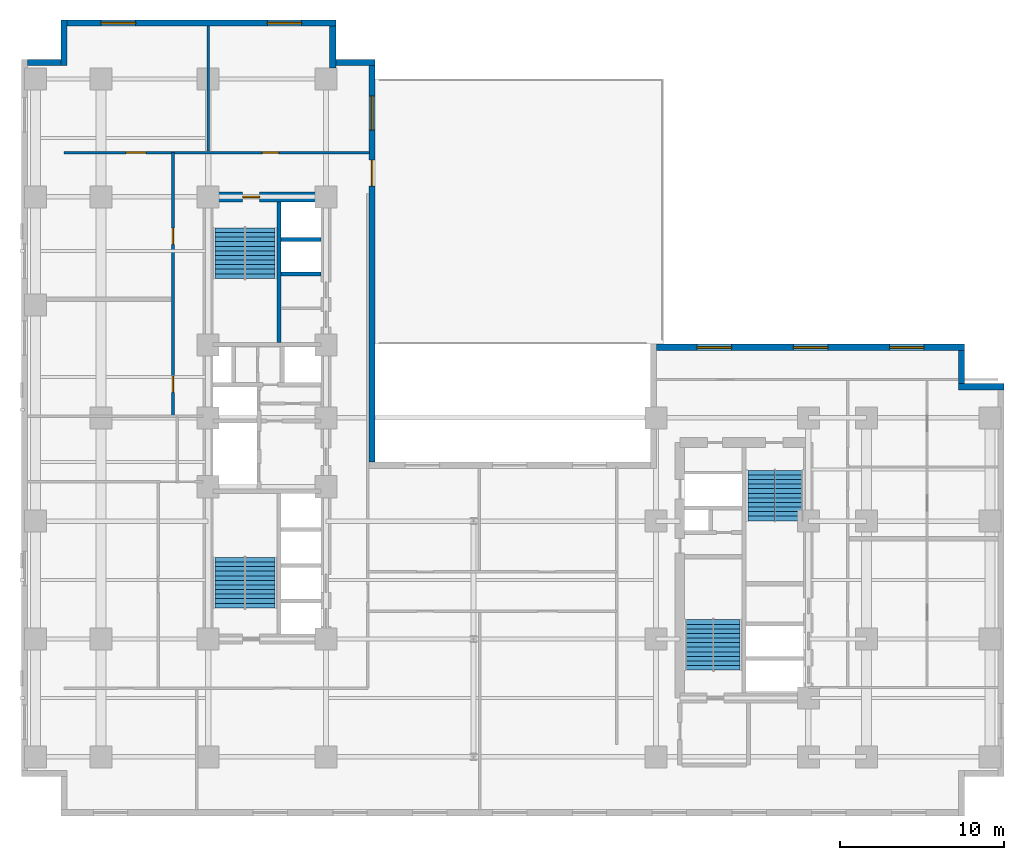
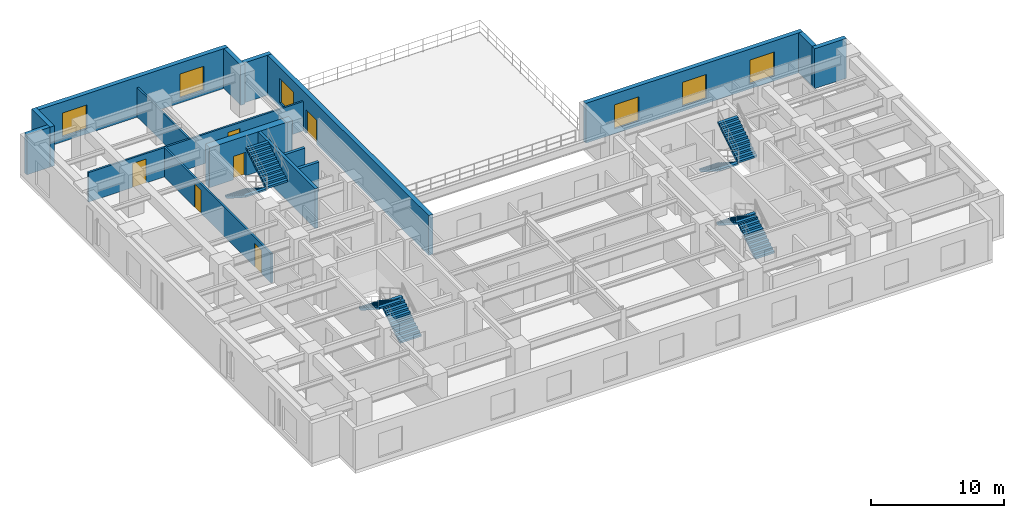
# One storey, part 6 of 10: 16 walls, 8 stair flights, 6 doors, 6 windows, 12 openings, 4 elements without a shape of their own.
"""IFC4 building model written with IfcOpenShell, lengths in metres."""

from ifc_helpers import new_model, entity, si_unit, converted_unit, direction, frame, origin_with_axes, origin_2d_with_axis, place, context, subcontext, project, spatial, polyline, rectangle, outline, extrude, material, layer, layer_set, type_object, element, fill, aggregate, save


model = new_model("IFC4")

# Units and contexts
model_context = context("Model", 3, precision=1e-05, world=origin_with_axes(), true_north=direction((0.0, 1.0)))
body_context = subcontext(model_context, "Body", "Model", "MODEL_VIEW")
ifc_project = project(units=[si_unit("LENGTHUNIT", "METRE"), si_unit("AREAUNIT", "SQUARE_METRE"), si_unit("VOLUMEUNIT", "CUBIC_METRE"), converted_unit("PLANEANGLEUNIT", "DEGREE", entity("IfcPlaneAngleMeasure", 0.017453292519943295), si_unit("PLANEANGLEUNIT", "RADIAN"), dimensions=[0, 0, 0, 0, 0, 0, 0]), si_unit("MASSUNIT", "GRAM", prefix="KILO"), si_unit("THERMODYNAMICTEMPERATUREUNIT", "KELVIN")], contexts=[model_context])

# Site, building, storey
site_placement = place(None, origin_with_axes())
site = spatial("IfcSite", under=ifc_project, at=site_placement, CompositionType="ELEMENT")
building_placement = place(site_placement, origin_with_axes())
building = spatial("IfcBuilding", under=site, at=building_placement, Name="Varnlund Millrace Tower", CompositionType="ELEMENT")
storey_placement = place(building_placement, frame((0.0, 0.0, 28.8), z_axis=(0.0, 0.0, 1.0), x_axis=(1.0, 0.0, 0.0)))
storey = spatial("IfcBuildingStorey", under=building, at=storey_placement, Name="L06", CompositionType="ELEMENT", Elevation=28.8)

# Wall, opening, door
ifc_material_1 = material(Name="Concrete C80/95", Category="concrete")
ifc_layer_1 = layer(ifc_material_1, 0.6, Name="Concrete C80/95")
ifc_layer_set_1 = layer_set([ifc_layer_1], Name="Concrete C80/95")
wall_type_1 = type_object("IfcWallType", Name="Type-CoreWall-Shear-600-C80", PredefinedType="SHEAR", material=ifc_layer_set_1)
wall_1_placement = place(storey_placement, frame((11.4, 37.8, 0.0), z_axis=(0.0, 0.0, 1.0), x_axis=(1.0, 0.0, 0.0)))
wall_1 = element("IfcWall", 1, at=wall_1_placement, inside=storey, type_object=wall_type_1, Name="Type-CoreWall-Shear-600-C80", PredefinedType="SHEAR", context=body_context, shape_type="SweptSolid", body=[
    extrude(outline(polyline([(0.0, -0.3), (7.2, -0.3), (7.2, 0.3), (0.0, 0.3), (0.0, -0.3)])), origin_with_axes(), (0.0, 0.0, 1.0), 3.66),
])
opening_1_placement = place(wall_1_placement, frame((2.625, 0.0, 0.0), z_axis=(0.0, 0.0, 1.0), x_axis=(1.0, 0.0, 0.0)))
opening_1 = element("IfcOpeningElement", 2, at=opening_1_placement, cuts=wall_1, Name="Opening L06:DR-STA2", PredefinedType="OPENING", context=body_context, shape_type="SweptSolid", body=[
    extrude(rectangle(XDim=1.05, YDim=0.62, at=origin_2d_with_axis()), origin_with_axes(), (0.0, 0.0, 1.0), 2.15),
])
ifc_material_2 = material(Name="Fire-rated hollow steel door", Category="steel")
door_type_1 = type_object("IfcDoorType", Name="Type-FireDoor-Stair-1050X2150", OperationType="NOTDEFINED", PredefinedType="DOOR", material=ifc_material_2)
door_1_placement = place(wall_1_placement, frame((2.625, 0.0, 0.0), z_axis=(0.0, 0.0, 1.0), x_axis=(1.0, 0.0, 0.0)))
door_1 = element("IfcDoor", 3, at=door_1_placement, inside=storey, type_object=door_type_1, Name="Type-FireDoor-Stair-1050X2150", OperationType="SINGLE_SWING_RIGHT", OverallHeight=2.15, OverallWidth=1.05, PredefinedType="DOOR", context=body_context, shape_type="SweptSolid", body=[
    extrude(rectangle(XDim=1.05, YDim=0.09, at=origin_2d_with_axis()), origin_with_axes(), (0.0, 0.0, 1.0), 2.15),
])
fill(opening_1, door_1)

# Wall, openings, windows
ifc_material_3 = material(Name="Precast concrete C50/60", Category="concrete")
ifc_layer_2 = layer(ifc_material_3, 0.38, Name="Precast concrete C50/60")
ifc_layer_set_2 = layer_set([ifc_layer_2], Name="Precast concrete C50/60")
wall_type_2 = type_object("IfcWallType", Name="Type-ExtWall-Precast-Tube-380", PredefinedType="SOLIDWALL", material=ifc_layer_set_2)
wall_2_placement = place(storey_placement, frame((38.78, 28.61, 0.0), z_axis=(0.0, 0.0, 1.0), x_axis=(1.0, 0.0, 0.0)))
wall_2 = element("IfcWall", 4, at=wall_2_placement, inside=storey, type_object=wall_type_2, Name="Type-ExtWall-Precast-Tube-380", PredefinedType="SOLIDWALL", context=body_context, shape_type="SweptSolid", body=[
    extrude(outline(polyline([(0.0, -0.19), (18.82, -0.19), (18.82, 0.19), (0.0, 0.19), (0.0, -0.19)])), origin_with_axes(), (0.0, 0.0, 1.0), 3.66),
])
opening_2_placement = place(wall_2_placement, frame((3.537, 0.0, 0.45), z_axis=(0.0, 0.0, 1.0), x_axis=(1.0, 0.0, 0.0)))
opening_2 = element("IfcOpeningElement", 5, at=opening_2_placement, cuts=wall_2, Name="Opening L06:WN-01", PredefinedType="OPENING", context=body_context, shape_type="SweptSolid", body=[
    extrude(rectangle(XDim=2.1, YDim=0.4, at=origin_2d_with_axis()), origin_with_axes(), (0.0, 0.0, 1.0), 2.2),
])
opening_3_placement = place(wall_2_placement, frame((9.41, 0.0, 0.45), z_axis=(0.0, 0.0, 1.0), x_axis=(1.0, 0.0, 0.0)))
opening_3 = element("IfcOpeningElement", 6, at=opening_3_placement, cuts=wall_2, Name="Opening L06:WN-02", PredefinedType="OPENING", context=body_context, shape_type="SweptSolid", body=[
    extrude(rectangle(XDim=2.1, YDim=0.4, at=origin_2d_with_axis()), origin_with_axes(), (0.0, 0.0, 1.0), 2.2),
])
opening_4_placement = place(wall_2_placement, frame((15.283, 0.0, 0.45), z_axis=(0.0, 0.0, 1.0), x_axis=(1.0, 0.0, 0.0)))
opening_4 = element("IfcOpeningElement", 7, at=opening_4_placement, cuts=wall_2, Name="Opening L06:WN-03", PredefinedType="OPENING", context=body_context, shape_type="SweptSolid", body=[
    extrude(rectangle(XDim=2.1, YDim=0.4, at=origin_2d_with_axis()), origin_with_axes(), (0.0, 0.0, 1.0), 2.2),
])
ifc_material_4 = material(Name="Argon low-e triple glazing in thermally broken bronze frame", Category="glass")
window_type = type_object("IfcWindowType", Name="Type-Window-Punched-2100X2200", PartitioningType="SINGLE_PANEL", PredefinedType="WINDOW", material=ifc_material_4)
window_1_placement = place(wall_2_placement, frame((3.537, 0.0, 0.45), z_axis=(0.0, 0.0, 1.0), x_axis=(1.0, 0.0, 0.0)))
window_1 = element("IfcWindow", 8, at=window_1_placement, inside=storey, type_object=window_type, Name="Type-Window-Punched-2100X2200", OverallHeight=2.2, OverallWidth=2.1, PredefinedType="WINDOW", context=body_context, shape_type="SweptSolid", body=[
    extrude(rectangle(XDim=2.1, YDim=0.09, at=origin_2d_with_axis()), origin_with_axes(), (0.0, 0.0, 1.0), 2.2),
])
fill(opening_2, window_1)
window_2_placement = place(wall_2_placement, frame((9.41, 0.0, 0.45), z_axis=(0.0, 0.0, 1.0), x_axis=(1.0, 0.0, 0.0)))
window_2 = element("IfcWindow", 9, at=window_2_placement, inside=storey, type_object=window_type, Name="Type-Window-Punched-2100X2200", OverallHeight=2.2, OverallWidth=2.1, PredefinedType="WINDOW", context=body_context, shape_type="SweptSolid", body=[
    extrude(rectangle(XDim=2.1, YDim=0.09, at=origin_2d_with_axis()), origin_with_axes(), (0.0, 0.0, 1.0), 2.2),
])
fill(opening_3, window_2)
window_3_placement = place(wall_2_placement, frame((15.283, 0.0, 0.45), z_axis=(0.0, 0.0, 1.0), x_axis=(1.0, 0.0, 0.0)))
window_3 = element("IfcWindow", 10, at=window_3_placement, inside=storey, type_object=window_type, Name="Type-Window-Punched-2100X2200", OverallHeight=2.2, OverallWidth=2.1, PredefinedType="WINDOW", context=body_context, shape_type="SweptSolid", body=[
    extrude(rectangle(XDim=2.1, YDim=0.09, at=origin_2d_with_axis()), origin_with_axes(), (0.0, 0.0, 1.0), 2.2),
])
fill(opening_4, window_3)

# Walls
wall_3_placement = place(storey_placement, frame((57.41, 28.42, 0.0), z_axis=(0.0, 0.0, 1.0), x_axis=(0.0, -1.0, 0.0)))
element("IfcWall", 11, at=wall_3_placement, inside=storey, type_object=wall_type_2, Name="Type-ExtWall-Precast-Tube-380", PredefinedType="SOLIDWALL", context=body_context, shape_type="SweptSolid", body=[
    extrude(outline(polyline([(0.0, -0.19), (2.02, -0.19), (2.02, 0.19), (0.0, 0.19), (0.0, -0.19)])), origin_with_axes(), (0.0, 0.0, 1.0), 3.66),
])
wall_4_placement = place(storey_placement, frame((57.22, 26.21, 0.0), z_axis=(0.0, 0.0, 1.0), x_axis=(1.0, 0.0, 0.0)))
element("IfcWall", 12, at=wall_4_placement, inside=storey, type_object=wall_type_2, Name="Type-ExtWall-Precast-Tube-380", PredefinedType="SOLIDWALL", context=body_context, shape_type="SweptSolid", body=[
    extrude(outline(polyline([(0.0, -0.19), (2.78, -0.19), (2.78, 0.19), (0.0, 0.19), (0.0, -0.19)])), origin_with_axes(), (0.0, 0.0, 1.0), 3.66),
])
wall_5_placement = place(storey_placement, frame((0.38, 46.01, 0.0), z_axis=(0.0, 0.0, 1.0), x_axis=(1.0, 0.0, 0.0)))
element("IfcWall", 13, at=wall_5_placement, inside=storey, type_object=wall_type_2, Name="Type-ExtWall-Precast-Tube-380", PredefinedType="SOLIDWALL", context=body_context, shape_type="SweptSolid", body=[
    extrude(outline(polyline([(0.0, -0.19), (2.02, -0.19), (2.02, 0.19), (0.0, 0.19), (0.0, -0.19)])), origin_with_axes(), (0.0, 0.0, 1.0), 3.66),
])
wall_6_placement = place(storey_placement, frame((2.59, 45.82, 0.0), z_axis=(0.0, 0.0, 1.0), x_axis=(0.0, 1.0, 0.0)))
element("IfcWall", 14, at=wall_6_placement, inside=storey, type_object=wall_type_2, Name="Type-ExtWall-Precast-Tube-380", PredefinedType="SOLIDWALL", context=body_context, shape_type="SweptSolid", body=[
    extrude(outline(polyline([(0.0, -0.19), (2.78, -0.19), (2.78, 0.19), (0.0, 0.19), (0.0, -0.19)])), origin_with_axes(), (0.0, 0.0, 1.0), 3.66),
])

# Wall, openings, windows
wall_7_placement = place(storey_placement, frame((2.78, 48.41, 0.0), z_axis=(0.0, 0.0, 1.0), x_axis=(1.0, 0.0, 0.0)))
wall_7 = element("IfcWall", 15, at=wall_7_placement, inside=storey, type_object=wall_type_2, Name="Type-ExtWall-Precast-Tube-380", PredefinedType="SOLIDWALL", context=body_context, shape_type="SweptSolid", body=[
    extrude(outline(polyline([(0.0, -0.19), (16.42, -0.19), (16.42, 0.19), (0.0, 0.19), (0.0, -0.19)])), origin_with_axes(), (0.0, 0.0, 1.0), 3.66),
])
opening_5_placement = place(wall_7_placement, frame((3.137, 0.0, 0.45), z_axis=(0.0, 0.0, 1.0), x_axis=(1.0, 0.0, 0.0)))
opening_5 = element("IfcOpeningElement", 16, at=opening_5_placement, cuts=wall_7, Name="Opening L06:WN-20", PredefinedType="OPENING", context=body_context, shape_type="SweptSolid", body=[
    extrude(rectangle(XDim=2.1, YDim=0.4, at=origin_2d_with_axis()), origin_with_axes(), (0.0, 0.0, 1.0), 2.2),
])
opening_6_placement = place(wall_7_placement, frame((13.283, 0.0, 0.45), z_axis=(0.0, 0.0, 1.0), x_axis=(1.0, 0.0, 0.0)))
opening_6 = element("IfcOpeningElement", 17, at=opening_6_placement, cuts=wall_7, Name="Opening L06:WN-21", PredefinedType="OPENING", context=body_context, shape_type="SweptSolid", body=[
    extrude(rectangle(XDim=2.1, YDim=0.4, at=origin_2d_with_axis()), origin_with_axes(), (0.0, 0.0, 1.0), 2.2),
])
window_4_placement = place(wall_7_placement, frame((3.137, 0.0, 0.45), z_axis=(0.0, 0.0, 1.0), x_axis=(1.0, 0.0, 0.0)))
window_4 = element("IfcWindow", 18, at=window_4_placement, inside=storey, type_object=window_type, Name="Type-Window-Punched-2100X2200", OverallHeight=2.2, OverallWidth=2.1, PredefinedType="WINDOW", context=body_context, shape_type="SweptSolid", body=[
    extrude(rectangle(XDim=2.1, YDim=0.09, at=origin_2d_with_axis()), origin_with_axes(), (0.0, 0.0, 1.0), 2.2),
])
fill(opening_5, window_4)
window_5_placement = place(wall_7_placement, frame((13.283, 0.0, 0.45), z_axis=(0.0, 0.0, 1.0), x_axis=(1.0, 0.0, 0.0)))
window_5 = element("IfcWindow", 19, at=window_5_placement, inside=storey, type_object=window_type, Name="Type-Window-Punched-2100X2200", OverallHeight=2.2, OverallWidth=2.1, PredefinedType="WINDOW", context=body_context, shape_type="SweptSolid", body=[
    extrude(rectangle(XDim=2.1, YDim=0.09, at=origin_2d_with_axis()), origin_with_axes(), (0.0, 0.0, 1.0), 2.2),
])
fill(opening_6, window_5)

# Walls
wall_8_placement = place(storey_placement, frame((19.01, 48.22, 0.0), z_axis=(0.0, 0.0, 1.0), x_axis=(0.0, -1.0, 0.0)))
element("IfcWall", 20, at=wall_8_placement, inside=storey, type_object=wall_type_2, Name="Type-ExtWall-Precast-Tube-380", PredefinedType="SOLIDWALL", context=body_context, shape_type="SweptSolid", body=[
    extrude(outline(polyline([(0.0, -0.19), (2.56, -0.19), (2.56, 0.19), (0.0, 0.19), (0.0, -0.19)])), origin_with_axes(), (0.0, 0.0, 1.0), 3.66),
])
wall_9_placement = place(storey_placement, frame((18.82, 46.01, 0.0), z_axis=(0.0, 0.0, 1.0), x_axis=(1.0, 0.0, 0.0)))
element("IfcWall", 21, at=wall_9_placement, inside=storey, type_object=wall_type_2, Name="Type-ExtWall-Precast-Tube-380", PredefinedType="SOLIDWALL", context=body_context, shape_type="SweptSolid", body=[
    extrude(outline(polyline([(0.0, -0.19), (2.78, -0.19), (2.78, 0.19), (0.0, 0.19), (0.0, -0.19)])), origin_with_axes(), (0.0, 0.0, 1.0), 3.66),
])

# Wall, openings, door, window
wall_10_placement = place(storey_placement, frame((21.41, 45.82, 0.0), z_axis=(0.0, 0.0, 1.0), x_axis=(0.0, -1.0, 0.0)))
wall_10 = element("IfcWall", 22, at=wall_10_placement, inside=storey, type_object=wall_type_2, Name="Type-ExtWall-Precast-Tube-380", PredefinedType="SOLIDWALL", context=body_context, shape_type="SweptSolid", body=[
    extrude(outline(polyline([(0.0, -0.19), (24.22, -0.19), (24.22, 0.19), (0.0, 0.19), (0.0, -0.19)])), origin_with_axes(), (0.0, 0.0, 1.0), 3.66),
])
opening_7_placement = place(wall_10_placement, frame((6.57, 0.0, 0.0), z_axis=(0.0, 0.0, 1.0), x_axis=(1.0, 0.0, 0.0)))
opening_7 = element("IfcOpeningElement", 23, at=opening_7_placement, cuts=wall_10, Name="Opening L06:DR-TERR-L06", PredefinedType="OPENING", context=body_context, shape_type="SweptSolid", body=[
    extrude(rectangle(XDim=1.6, YDim=0.4, at=origin_2d_with_axis()), origin_with_axes(), (0.0, 0.0, 1.0), 2.2),
])
opening_8_placement = place(wall_10_placement, frame((2.902, 0.0, 0.45), z_axis=(0.0, 0.0, 1.0), x_axis=(1.0, 0.0, 0.0)))
opening_8 = element("IfcOpeningElement", 24, at=opening_8_placement, cuts=wall_10, Name="Opening L06:WN-22", PredefinedType="OPENING", context=body_context, shape_type="SweptSolid", body=[
    extrude(rectangle(XDim=2.1, YDim=0.4, at=origin_2d_with_axis()), origin_with_axes(), (0.0, 0.0, 1.0), 2.2),
])
ifc_material_5 = material(Name="Thermally broken architectural bronze and insulated glass door", Category="glass")
door_type_2 = type_object("IfcDoorType", Name="Type-ExtDoor-Terrace-1600X2200", OperationType="NOTDEFINED", PredefinedType="DOOR", material=ifc_material_5)
door_2_placement = place(wall_10_placement, frame((6.57, 0.0, 0.0), z_axis=(0.0, 0.0, 1.0), x_axis=(1.0, 0.0, 0.0)))
door_2 = element("IfcDoor", 25, at=door_2_placement, inside=storey, type_object=door_type_2, Name="Type-ExtDoor-Terrace-1600X2200", OperationType="DOUBLE_DOOR_SINGLE_SWING", OverallHeight=2.2, OverallWidth=1.6, PredefinedType="DOOR", context=body_context, shape_type="SweptSolid", body=[
    extrude(rectangle(XDim=1.6, YDim=0.09, at=origin_2d_with_axis()), origin_with_axes(), (0.0, 0.0, 1.0), 2.2),
])
fill(opening_7, door_2)
window_6_placement = place(wall_10_placement, frame((2.902, 0.0, 0.45), z_axis=(0.0, 0.0, 1.0), x_axis=(1.0, 0.0, 0.0)))
window_6 = element("IfcWindow", 26, at=window_6_placement, inside=storey, type_object=window_type, Name="Type-Window-Punched-2100X2200", OverallHeight=2.2, OverallWidth=2.1, PredefinedType="WINDOW", context=body_context, shape_type="SweptSolid", body=[
    extrude(rectangle(XDim=2.1, YDim=0.09, at=origin_2d_with_axis()), origin_with_axes(), (0.0, 0.0, 1.0), 2.2),
])
fill(opening_8, window_6)

# Wall, openings, doors
ifc_material_6 = material(Name="Fire-rated gypsum board on cold-formed steel framing", Category="steel")
ifc_layer_3 = layer(ifc_material_6, 0.16, Name="Fire-rated gypsum board on cold-formed steel framing")
ifc_layer_set_3 = layer_set([ifc_layer_3], Name="Fire-rated gypsum board on cold-formed steel framing")
wall_type_3 = type_object("IfcWallType", Name="Type-Partition-Corridor-160", PredefinedType="PARTITIONING", material=ifc_layer_set_3)
wall_11_placement = place(storey_placement, frame((2.6, 40.5, 0.0), z_axis=(0.0, 0.0, 1.0), x_axis=(1.0, 0.0, 0.0)))
wall_11 = element("IfcWall", 27, at=wall_11_placement, inside=storey, type_object=wall_type_3, Name="Type-Partition-Corridor-160", PredefinedType="PARTITIONING", context=body_context, shape_type="SweptSolid", body=[
    extrude(outline(polyline([(0.0, -0.08), (18.65, -0.08), (18.65, 0.08), (0.0, 0.08), (0.0, -0.08)])), origin_with_axes(), (0.0, 0.0, 1.0), 2.7),
])
opening_9_placement = place(wall_11_placement, frame((4.395, 0.0, 0.0), z_axis=(0.0, 0.0, 1.0), x_axis=(1.0, 0.0, 0.0)))
opening_9 = element("IfcOpeningElement", 28, at=opening_9_placement, cuts=wall_11, Name="Opening L06:DR-WAN-01", PredefinedType="OPENING", context=body_context, shape_type="SweptSolid", body=[
    extrude(rectangle(XDim=1.2, YDim=0.18, at=origin_2d_with_axis()), origin_with_axes(), (0.0, 0.0, 1.0), 2.2),
])
opening_10_placement = place(wall_11_placement, frame((12.61, 0.0, 0.0), z_axis=(0.0, 0.0, 1.0), x_axis=(1.0, 0.0, 0.0)))
opening_10 = element("IfcOpeningElement", 29, at=opening_10_placement, cuts=wall_11, Name="Opening L06:DR-WAN-02", PredefinedType="OPENING", context=body_context, shape_type="SweptSolid", body=[
    extrude(rectangle(XDim=1.0, YDim=0.18, at=origin_2d_with_axis()), origin_with_axes(), (0.0, 0.0, 1.0), 2.15),
])
ifc_material_7 = material(Name="Wide executive white oak acoustic door")
door_type_3 = type_object("IfcDoorType", Name="Type-IntDoor-Exec-1200X2200", OperationType="NOTDEFINED", PredefinedType="DOOR", material=ifc_material_7)
door_3_placement = place(wall_11_placement, frame((4.395, 0.0, 0.0), z_axis=(0.0, 0.0, 1.0), x_axis=(1.0, 0.0, 0.0)))
door_3 = element("IfcDoor", 30, at=door_3_placement, inside=storey, type_object=door_type_3, Name="Type-IntDoor-Exec-1200X2200", OperationType="SINGLE_SWING_LEFT", OverallHeight=2.2, OverallWidth=1.2, PredefinedType="DOOR", context=body_context, shape_type="SweptSolid", body=[
    extrude(rectangle(XDim=1.2, YDim=0.09, at=origin_2d_with_axis()), origin_with_axes(), (0.0, 0.0, 1.0), 2.2),
])
fill(opening_9, door_3)
ifc_material_8 = material(Name="Solid-core white oak and bronze frame door")
door_type_4 = type_object("IfcDoorType", Name="Type-IntDoor-Office-1000X2150", OperationType="NOTDEFINED", PredefinedType="DOOR", material=ifc_material_8)
door_4_placement = place(wall_11_placement, frame((12.61, 0.0, 0.0), z_axis=(0.0, 0.0, 1.0), x_axis=(1.0, 0.0, 0.0)))
door_4 = element("IfcDoor", 31, at=door_4_placement, inside=storey, type_object=door_type_4, Name="Type-IntDoor-Office-1000X2150", OperationType="SINGLE_SWING_RIGHT", OverallHeight=2.15, OverallWidth=1.0, PredefinedType="DOOR", context=body_context, shape_type="SweptSolid", body=[
    extrude(rectangle(XDim=1.0, YDim=0.09, at=origin_2d_with_axis()), origin_with_axes(), (0.0, 0.0, 1.0), 2.15),
])
fill(opening_10, door_4)

wall_12_placement = place(storey_placement, frame((9.25, 24.4, 0.0), z_axis=(0.0, 0.0, 1.0), x_axis=(0.0, 1.0, 0.0)))
wall_12 = element("IfcWall", 32, at=wall_12_placement, inside=storey, type_object=wall_type_3, Name="Type-Partition-Corridor-160", PredefinedType="PARTITIONING", context=body_context, shape_type="SweptSolid", body=[
    extrude(outline(polyline([(0.0, -0.08), (16.1, -0.08), (16.1, 0.08), (0.0, 0.08), (0.0, -0.08)])), origin_with_axes(), (0.0, 0.0, 1.0), 2.7),
])
opening_11_placement = place(wall_12_placement, frame((1.958, 0.0, 0.0), z_axis=(0.0, 0.0, 1.0), x_axis=(1.0, 0.0, 0.0)))
opening_11 = element("IfcOpeningElement", 33, at=opening_11_placement, cuts=wall_12, Name="Opening L06:DR-WN-01", PredefinedType="OPENING", context=body_context, shape_type="SweptSolid", body=[
    extrude(rectangle(XDim=1.0, YDim=0.18, at=origin_2d_with_axis()), origin_with_axes(), (0.0, 0.0, 1.0), 2.15),
])
opening_12_placement = place(wall_12_placement, frame((10.992, 0.0, 0.0), z_axis=(0.0, 0.0, 1.0), x_axis=(1.0, 0.0, 0.0)))
opening_12 = element("IfcOpeningElement", 34, at=opening_12_placement, cuts=wall_12, Name="Opening L06:DR-WN-02", PredefinedType="OPENING", context=body_context, shape_type="SweptSolid", body=[
    extrude(rectangle(XDim=1.0, YDim=0.18, at=origin_2d_with_axis()), origin_with_axes(), (0.0, 0.0, 1.0), 2.15),
])
door_5_placement = place(wall_12_placement, frame((1.958, 0.0, 0.0), z_axis=(0.0, 0.0, 1.0), x_axis=(1.0, 0.0, 0.0)))
door_5 = element("IfcDoor", 35, at=door_5_placement, inside=storey, type_object=door_type_4, Name="Type-IntDoor-Office-1000X2150", OperationType="SINGLE_SWING_LEFT", OverallHeight=2.15, OverallWidth=1.0, PredefinedType="DOOR", context=body_context, shape_type="SweptSolid", body=[
    extrude(rectangle(XDim=1.0, YDim=0.09, at=origin_2d_with_axis()), origin_with_axes(), (0.0, 0.0, 1.0), 2.15),
])
fill(opening_11, door_5)
door_6_placement = place(wall_12_placement, frame((10.992, 0.0, 0.0), z_axis=(0.0, 0.0, 1.0), x_axis=(1.0, 0.0, 0.0)))
door_6 = element("IfcDoor", 36, at=door_6_placement, inside=storey, type_object=door_type_4, Name="Type-IntDoor-Office-1000X2150", OperationType="SINGLE_SWING_RIGHT", OverallHeight=2.15, OverallWidth=1.0, PredefinedType="DOOR", context=body_context, shape_type="SweptSolid", body=[
    extrude(rectangle(XDim=1.0, YDim=0.09, at=origin_2d_with_axis()), origin_with_axes(), (0.0, 0.0, 1.0), 2.15),
])
fill(opening_12, door_6)

# Walls
ifc_material_9 = material(Name="Acoustic STC-50 gypsum board partition", Category="gypsum")
ifc_layer_4 = layer(ifc_material_9, 0.15, Name="Acoustic STC-50 gypsum board partition")
ifc_layer_set_4 = layer_set([ifc_layer_4], Name="Acoustic STC-50 gypsum board partition")
wall_type_4 = type_object("IfcWallType", Name="Type-Partition-Demising-150", PredefinedType="PARTITIONING", material=ifc_layer_set_4)
wall_13_placement = place(storey_placement, frame((11.4, 40.6, 0.0), z_axis=(0.0, 0.0, 1.0), x_axis=(0.0, 1.0, 0.0)))
element("IfcWall", 37, at=wall_13_placement, inside=storey, type_object=wall_type_4, Name="Type-Partition-Demising-150", PredefinedType="PARTITIONING", context=body_context, shape_type="SweptSolid", body=[
    extrude(outline(polyline([(0.0, -0.075), (7.64, -0.075), (7.64, 0.075), (0.0, 0.075), (0.0, -0.075)])), origin_with_axes(), (0.0, 0.0, 1.0), 2.7),
])
ifc_material_10 = material(Name="Concrete C60/75", Category="concrete")
ifc_layer_5 = layer(ifc_material_10, 0.25, Name="Concrete C60/75")
ifc_layer_set_5 = layer_set([ifc_layer_5], Name="Concrete C60/75")
wall_type_5 = type_object("IfcWallType", Name="Type-ShaftWall-Fire-250", PredefinedType="SOLIDWALL", material=ifc_layer_set_5)
for number, where, z_axis, x_axis, name in (
    (38, (15.84, 33.1, 0.0), (0.0, 0.0, 1.0), (1.0, 0.0, 0.0), "Type-ShaftWall-Fire-250"),
    (39, (15.84, 35.2, 0.0), (0.0, 0.0, 1.0), (1.0, 0.0, 0.0), "Type-ShaftWall-Fire-250"),
):
    element("IfcWall", number, at=place(storey_placement, frame(where, z_axis=z_axis, x_axis=x_axis)), inside=storey, type_object=wall_type_5, Name=name, PredefinedType="SOLIDWALL", context=body_context, shape_type="SweptSolid", body=[
        extrude(outline(polyline([(0.0, -0.125), (2.46, -0.125), (2.46, 0.125), (0.0, 0.125), (0.0, -0.125)])), origin_with_axes(), (0.0, 0.0, 1.0), 2.7),
    ])
wall_type_6 = type_object("IfcWallType", Name="Type-StairWall-Shear-250", PredefinedType="SHEAR", material=ifc_layer_set_5)
wall_14_placement = place(storey_placement, frame((15.725, 28.9, 0.0), z_axis=(0.0, 0.0, 1.0), x_axis=(0.0, 1.0, 0.0)))
element("IfcWall", 40, at=wall_14_placement, inside=storey, type_object=wall_type_6, Name="Type-StairWall-Shear-250", PredefinedType="SHEAR", context=body_context, shape_type="SweptSolid", body=[
    extrude(outline(polyline([(0.0, -0.125), (8.6, -0.125), (8.6, 0.125), (0.0, 0.125), (0.0, -0.125)])), origin_with_axes(), (0.0, 0.0, 1.0), 3.66),
])

# Stair, stair flights
ifc_material_11 = material(Name="Concrete C50/60", Category="concrete")
stair_type_1 = type_object("IfcStairType", Name="Type-Stair-Dogleg-165-390", PredefinedType="HALF_TURN_STAIR", material=ifc_material_11)
stair_1_placement = place(storey_placement, origin_with_axes())
stair_1 = element("IfcStair", 41, at=stair_1_placement, inside=storey, type_object=stair_type_1, Name="Type-Stair-Dogleg-165-390", PredefinedType="HALF_TURN_STAIR")
stair_flight_type_1 = type_object("IfcStairFlightType", Name="Type-Dogleg-Run-165-390", PredefinedType="STRAIGHT", material=ifc_material_3)
stair_flight_1_placement = place(storey_placement, frame((42.225, 8.9, 0.0), z_axis=(1.0, 0.0, 0.0), x_axis=(0.0, 1.0, 0.0)))
stair_flight_1 = element("IfcStairFlight", 42, at=stair_flight_1_placement, type_object=stair_flight_type_1, Name="ST-B1 flight 1", NumberOfRisers=11, NumberOfTreads=11, PredefinedType="STRAIGHT", RiserHeight=0.177273, TreadLength=0.28, context=body_context, shape_type="SweptSolid", body=[
    extrude(outline(polyline([(0.0, 0.0), (0.0, 0.177273), (0.28, 0.177273), (0.28, 0.354545), (0.56, 0.354545), (0.56, 0.531818), (0.84, 0.531818), (0.84, 0.709091), (1.12, 0.709091), (1.12, 0.886364), (1.4, 0.886364), (1.4, 1.063636), (1.68, 1.063636), (1.68, 1.240909), (1.96, 1.240909), (1.96, 1.418182), (2.24, 1.418182), (2.24, 1.595454), (2.52, 1.595454), (2.52, 1.772727), (2.8, 1.772727), (2.8, 1.95), (3.08, 1.95), (3.08, 1.8), (0.28, 0.0), (0.0, 0.0)])), origin_with_axes(), (0.0, 0.0, 1.0), 1.65),
])
stair_flight_2_placement = place(storey_placement, frame((42.275, 11.98, 1.95), z_axis=(-1.0, 0.0, 0.0), x_axis=(0.0, -1.0, 0.0)))
stair_flight_2 = element("IfcStairFlight", 43, at=stair_flight_2_placement, type_object=stair_flight_type_1, Name="ST-B1 flight 2", NumberOfRisers=11, NumberOfTreads=11, PredefinedType="STRAIGHT", RiserHeight=0.177273, TreadLength=0.28, context=body_context, shape_type="SweptSolid", body=[
    extrude(outline(polyline([(0.0, 0.0), (0.0, 0.177273), (0.28, 0.177273), (0.28, 0.354545), (0.56, 0.354545), (0.56, 0.531818), (0.84, 0.531818), (0.84, 0.709091), (1.12, 0.709091), (1.12, 0.886364), (1.4, 0.886364), (1.4, 1.063636), (1.68, 1.063636), (1.68, 1.240909), (1.96, 1.240909), (1.96, 1.418182), (2.24, 1.418182), (2.24, 1.595454), (2.52, 1.595454), (2.52, 1.772727), (2.8, 1.772727), (2.8, 1.95), (3.08, 1.95), (3.08, 1.8), (0.28, 0.0), (0.0, 0.0)])), origin_with_axes(), (0.0, 0.0, 1.0), 1.65),
])
aggregate(stair_1, [stair_flight_1, stair_flight_2])

stair_2_placement = place(storey_placement, origin_with_axes())
stair_2 = element("IfcStair", 44, at=stair_2_placement, inside=storey, type_object=stair_type_1, Name="Type-Stair-Dogleg-165-390", PredefinedType="HALF_TURN_STAIR")
stair_flight_3_placement = place(storey_placement, frame((46.025, 21.1, 0.0), z_axis=(-1.0, 0.0, 0.0), x_axis=(0.0, -1.0, 0.0)))
stair_flight_3 = element("IfcStairFlight", 45, at=stair_flight_3_placement, type_object=stair_flight_type_1, Name="ST-B2 flight 1", NumberOfRisers=11, NumberOfTreads=11, PredefinedType="STRAIGHT", RiserHeight=0.177273, TreadLength=0.28, context=body_context, shape_type="SweptSolid", body=[
    extrude(outline(polyline([(0.0, 0.0), (0.0, 0.177273), (0.28, 0.177273), (0.28, 0.354545), (0.56, 0.354545), (0.56, 0.531818), (0.84, 0.531818), (0.84, 0.709091), (1.12, 0.709091), (1.12, 0.886364), (1.4, 0.886364), (1.4, 1.063636), (1.68, 1.063636), (1.68, 1.240909), (1.96, 1.240909), (1.96, 1.418182), (2.24, 1.418182), (2.24, 1.595454), (2.52, 1.595454), (2.52, 1.772727), (2.8, 1.772727), (2.8, 1.95), (3.08, 1.95), (3.08, 1.8), (0.28, 0.0), (0.0, 0.0)])), origin_with_axes(), (0.0, 0.0, 1.0), 1.65),
])
stair_flight_4_placement = place(storey_placement, frame((45.975, 18.02, 1.95), z_axis=(1.0, 0.0, 0.0), x_axis=(0.0, 1.0, 0.0)))
stair_flight_4 = element("IfcStairFlight", 46, at=stair_flight_4_placement, type_object=stair_flight_type_1, Name="ST-B2 flight 2", NumberOfRisers=11, NumberOfTreads=11, PredefinedType="STRAIGHT", RiserHeight=0.177273, TreadLength=0.28, context=body_context, shape_type="SweptSolid", body=[
    extrude(outline(polyline([(0.0, 0.0), (0.0, 0.177273), (0.28, 0.177273), (0.28, 0.354545), (0.56, 0.354545), (0.56, 0.531818), (0.84, 0.531818), (0.84, 0.709091), (1.12, 0.709091), (1.12, 0.886364), (1.4, 0.886364), (1.4, 1.063636), (1.68, 1.063636), (1.68, 1.240909), (1.96, 1.240909), (1.96, 1.418182), (2.24, 1.418182), (2.24, 1.595454), (2.52, 1.595454), (2.52, 1.772727), (2.8, 1.772727), (2.8, 1.95), (3.08, 1.95), (3.08, 1.8), (0.28, 0.0), (0.0, 0.0)])), origin_with_axes(), (0.0, 0.0, 1.0), 1.65),
])
aggregate(stair_2, [stair_flight_3, stair_flight_4])

stair_type_2 = type_object("IfcStairType", Name="Type-Stair-Dogleg-185-390", PredefinedType="HALF_TURN_STAIR", material=ifc_material_11)
stair_3_placement = place(storey_placement, origin_with_axes())
stair_3 = element("IfcStair", 47, at=stair_3_placement, inside=storey, type_object=stair_type_2, Name="Type-Stair-Dogleg-185-390", PredefinedType="HALF_TURN_STAIR")
stair_flight_type_2 = type_object("IfcStairFlightType", Name="Type-Dogleg-Run-185-390", PredefinedType="STRAIGHT", material=ifc_material_3)
stair_flight_5_placement = place(storey_placement, frame((13.625, 12.7, 0.0), z_axis=(1.0, 0.0, 0.0), x_axis=(0.0, 1.0, 0.0)))
stair_flight_5 = element("IfcStairFlight", 48, at=stair_flight_5_placement, type_object=stair_flight_type_2, Name="ST-A1 flight 1", NumberOfRisers=11, NumberOfTreads=11, PredefinedType="STRAIGHT", RiserHeight=0.177273, TreadLength=0.28, context=body_context, shape_type="SweptSolid", body=[
    extrude(outline(polyline([(0.0, 0.0), (0.0, 0.177273), (0.28, 0.177273), (0.28, 0.354545), (0.56, 0.354545), (0.56, 0.531818), (0.84, 0.531818), (0.84, 0.709091), (1.12, 0.709091), (1.12, 0.886364), (1.4, 0.886364), (1.4, 1.063636), (1.68, 1.063636), (1.68, 1.240909), (1.96, 1.240909), (1.96, 1.418182), (2.24, 1.418182), (2.24, 1.595454), (2.52, 1.595454), (2.52, 1.772727), (2.8, 1.772727), (2.8, 1.95), (3.08, 1.95), (3.08, 1.8), (0.28, 0.0), (0.0, 0.0)])), origin_with_axes(), (0.0, 0.0, 1.0), 1.85),
])
stair_flight_6_placement = place(storey_placement, frame((13.675, 15.78, 1.95), z_axis=(-1.0, 0.0, 0.0), x_axis=(0.0, -1.0, 0.0)))
stair_flight_6 = element("IfcStairFlight", 49, at=stair_flight_6_placement, type_object=stair_flight_type_2, Name="ST-A1 flight 2", NumberOfRisers=11, NumberOfTreads=11, PredefinedType="STRAIGHT", RiserHeight=0.177273, TreadLength=0.28, context=body_context, shape_type="SweptSolid", body=[
    extrude(outline(polyline([(0.0, 0.0), (0.0, 0.177273), (0.28, 0.177273), (0.28, 0.354545), (0.56, 0.354545), (0.56, 0.531818), (0.84, 0.531818), (0.84, 0.709091), (1.12, 0.709091), (1.12, 0.886364), (1.4, 0.886364), (1.4, 1.063636), (1.68, 1.063636), (1.68, 1.240909), (1.96, 1.240909), (1.96, 1.418182), (2.24, 1.418182), (2.24, 1.595454), (2.52, 1.595454), (2.52, 1.772727), (2.8, 1.772727), (2.8, 1.95), (3.08, 1.95), (3.08, 1.8), (0.28, 0.0), (0.0, 0.0)])), origin_with_axes(), (0.0, 0.0, 1.0), 1.85),
])
aggregate(stair_3, [stair_flight_5, stair_flight_6])

stair_4_placement = place(storey_placement, origin_with_axes())
stair_4 = element("IfcStair", 50, at=stair_4_placement, inside=storey, type_object=stair_type_2, Name="Type-Stair-Dogleg-185-390", PredefinedType="HALF_TURN_STAIR")
stair_flight_7_placement = place(storey_placement, frame((13.675, 35.9, 0.0), z_axis=(-1.0, 0.0, 0.0), x_axis=(0.0, -1.0, 0.0)))
stair_flight_7 = element("IfcStairFlight", 51, at=stair_flight_7_placement, type_object=stair_flight_type_2, Name="ST-A2 flight 1", NumberOfRisers=11, NumberOfTreads=11, PredefinedType="STRAIGHT", RiserHeight=0.177273, TreadLength=0.28, context=body_context, shape_type="SweptSolid", body=[
    extrude(outline(polyline([(0.0, 0.0), (0.0, 0.177273), (0.28, 0.177273), (0.28, 0.354545), (0.56, 0.354545), (0.56, 0.531818), (0.84, 0.531818), (0.84, 0.709091), (1.12, 0.709091), (1.12, 0.886364), (1.4, 0.886364), (1.4, 1.063636), (1.68, 1.063636), (1.68, 1.240909), (1.96, 1.240909), (1.96, 1.418182), (2.24, 1.418182), (2.24, 1.595454), (2.52, 1.595454), (2.52, 1.772727), (2.8, 1.772727), (2.8, 1.95), (3.08, 1.95), (3.08, 1.8), (0.28, 0.0), (0.0, 0.0)])), origin_with_axes(), (0.0, 0.0, 1.0), 1.85),
])
stair_flight_8_placement = place(storey_placement, frame((13.625, 32.82, 1.95), z_axis=(1.0, 0.0, 0.0), x_axis=(0.0, 1.0, 0.0)))
stair_flight_8 = element("IfcStairFlight", 52, at=stair_flight_8_placement, type_object=stair_flight_type_2, Name="ST-A2 flight 2", NumberOfRisers=11, NumberOfTreads=11, PredefinedType="STRAIGHT", RiserHeight=0.177273, TreadLength=0.28, context=body_context, shape_type="SweptSolid", body=[
    extrude(outline(polyline([(0.0, 0.0), (0.0, 0.177273), (0.28, 0.177273), (0.28, 0.354545), (0.56, 0.354545), (0.56, 0.531818), (0.84, 0.531818), (0.84, 0.709091), (1.12, 0.709091), (1.12, 0.886364), (1.4, 0.886364), (1.4, 1.063636), (1.68, 1.063636), (1.68, 1.240909), (1.96, 1.240909), (1.96, 1.418182), (2.24, 1.418182), (2.24, 1.595454), (2.52, 1.595454), (2.52, 1.772727), (2.8, 1.772727), (2.8, 1.95), (3.08, 1.95), (3.08, 1.8), (0.28, 0.0), (0.0, 0.0)])), origin_with_axes(), (0.0, 0.0, 1.0), 1.85),
])
aggregate(stair_4, [stair_flight_7, stair_flight_8])

save(model, "model.ifc")
